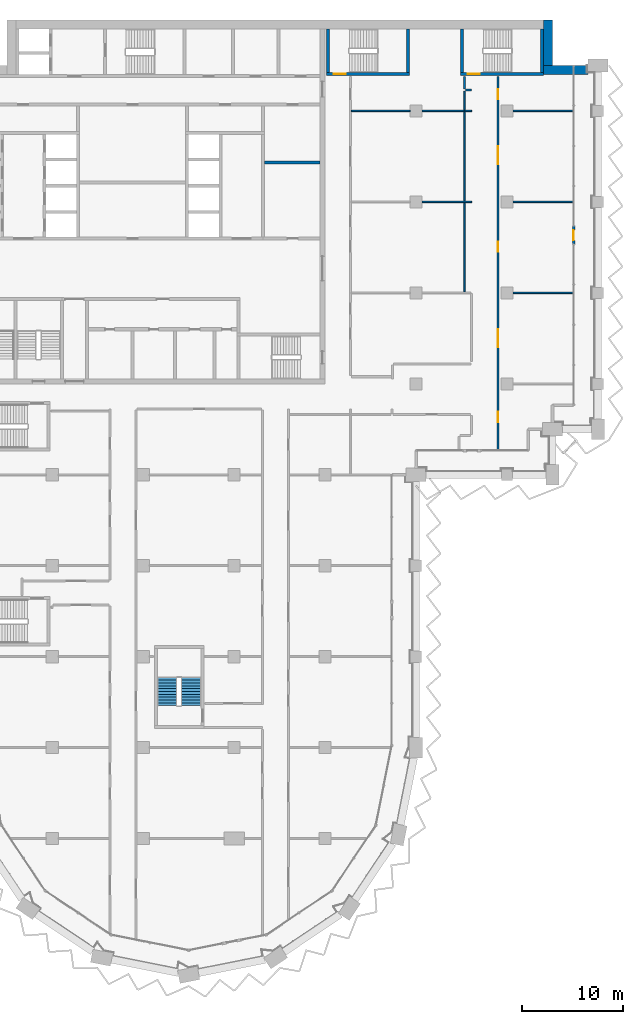
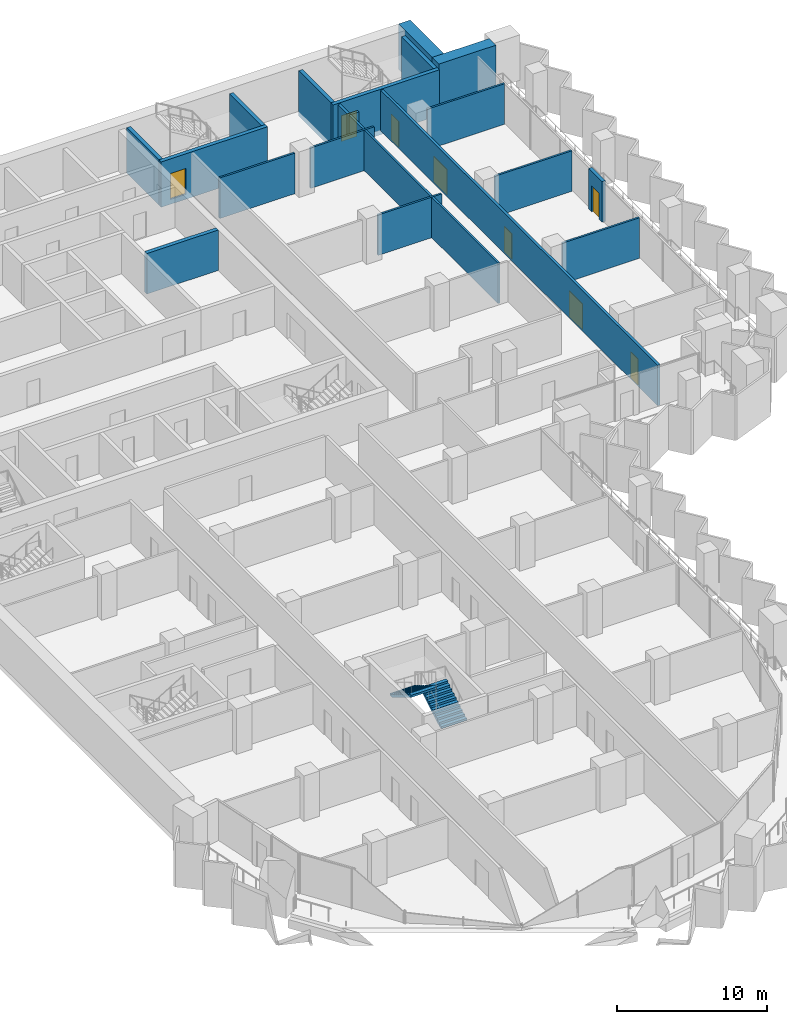
# One storey, part 14 of 22: 22 walls, 8 doors, 2 stair flights, 8 openings, 1 element without a shape of its own.
"""IFC4 building model written with IfcOpenShell, lengths in metres."""

from ifc_helpers import new_model, si_unit, direction, frame, frame_2d, origin, place, context, subcontext, project, spatial, polyline, rectangle, outline, extrude, material, layer, layer_set, type_object, element, fill, aggregate, save


model = new_model("IFC4")

# Units and contexts
model_context = context("Model", 3, precision=1e-05, world=origin(), true_north=direction((0.0, 1.0)))
body_context = subcontext(model_context, "Body", "Model", "MODEL_VIEW")
ifc_project = project(units=[si_unit("LENGTHUNIT", "METRE"), si_unit("AREAUNIT", "SQUARE_METRE"), si_unit("VOLUMEUNIT", "CUBIC_METRE"), si_unit("PLANEANGLEUNIT", "RADIAN"), si_unit("MASSUNIT", "GRAM", prefix="KILO")], contexts=[model_context])

# Site, building, storey
site_placement = place(None, origin())
site = spatial("IfcSite", under=ifc_project, at=site_placement, CompositionType="ELEMENT")
building_placement = place(site_placement, origin())
building = spatial("IfcBuilding", under=site, at=building_placement, Name="Hunhe Ridgeline Campus", CompositionType="ELEMENT")
storey_placement = place(building_placement, frame((0.0, 0.0, 159.699951171875)))
storey = spatial("IfcBuildingStorey", under=building, at=storey_placement, Name="L40", CompositionType="ELEMENT", Elevation=159.699951171875)

# Walls
ifc_material_1 = material(Name="Masonry concrete blockwork", Category="masonry")
ifc_layer_1 = layer(ifc_material_1, 0.300048828125)
ifc_layer_set_1 = layer_set([ifc_layer_1], Name="Core room partition 300 concrete block")
wall_type_1 = type_object("IfcWallType", Name="Core room partition 300 concrete block", PredefinedType="PARTITIONING", material=ifc_layer_set_1)
wall_1_placement = place(storey_placement, frame((30.0, 84.89990234375, 0.0), z_axis=(0.0, 0.0, 1.0), x_axis=(1.0, 0.0, 0.0)))
element("IfcWall", 1, at=wall_1_placement, inside=storey, type_object=wall_type_1, Name="L40 core partition 21", PredefinedType="PARTITIONING", context=body_context, shape_type="SweptSolid", body=[
    extrude(rectangle(XDim=5.5, YDim=0.300048828125, at=frame_2d((2.75, 0.0))), origin(), (0.0, 0.0, 1.0), 3.300048828125),
])
ifc_material_2 = material(Name="Gypsum board partition")
ifc_layer_2 = layer(ifc_material_2, 0.199951171875)
ifc_layer_set_2 = layer_set([ifc_layer_2], Name="Corridor partition 200 gypsum board on steel studs")
wall_type_2 = type_object("IfcWallType", Name="Corridor partition 200 gypsum board on steel studs", PredefinedType="PARTITIONING", material=ifc_layer_set_2)
wall_2_placement = place(storey_placement, frame((50.5, 92.050048828125, 0.0), z_axis=(0.0, 0.0, 1.0), x_axis=(-1.0, 0.0, 0.0)))
element("IfcWall", 2, at=wall_2_placement, inside=storey, type_object=wall_type_2, Name="F-L40-wall-054", PredefinedType="PARTITIONING", context=body_context, shape_type="SweptSolid", body=[
    extrude(rectangle(XDim=0.60009765625, YDim=0.199951171875, at=frame_2d((0.300048828125, 0.0))), origin(), (0.0, 0.0, 1.0), 3.300048828125),
])
wall_3_placement = place(storey_placement, frame((49.800048828125, 92.14990234375, 0.0), z_axis=(0.0, 0.0, 1.0), x_axis=(0.0, 1.0, 0.0)))
element("IfcWall", 3, at=wall_3_placement, inside=storey, type_object=wall_type_2, Name="F-L40-wall-071", PredefinedType="PARTITIONING", context=body_context, shape_type="SweptSolid", body=[
    extrude(rectangle(XDim=1.24609375, YDim=0.199951171875, at=frame_2d((0.623046875, 0.0))), origin(), (0.0, 0.0, 1.0), 3.300048828125),
])

# Wall, openings, doors
wall_4_placement = place(storey_placement, frame((53.10009765625, 93.39599609375, 0.0), z_axis=(0.0, 0.0, 1.0), x_axis=(0.0, -1.0, 0.0)))
wall_4 = element("IfcWall", 4, at=wall_4_placement, inside=storey, type_object=wall_type_2, Name="F-L40-wall-074", PredefinedType="PARTITIONING", context=body_context, shape_type="SweptSolid", body=[
    extrude(rectangle(XDim=36.94091796875, YDim=0.199951171875, at=frame_2d((18.470458984375, 0.0))), origin(), (0.0, 0.0, 1.0), 3.300048828125),
])
opening_1_placement = place(wall_4_placement, frame((33.174072265625, 0.0, 0.0)))
opening_1 = element("IfcOpeningElement", 5, at=opening_1_placement, cuts=wall_4, Name="Opening RD1-026", PredefinedType="OPENING", context=body_context, shape_type="SweptSolid", body=[
    extrude(rectangle(XDim=1.0, YDim=2.10009765625, at=frame_2d((0.5, 1.050048828125))), frame((0.0, 0.10009765625, 0.0), z_axis=(0.0, -1.0, 0.0), x_axis=(1.0, 0.0, 0.0)), (0.0, 0.0, 1.0), 0.199951171875),
])
opening_2_placement = place(wall_4_placement, frame((24.98388671875, 0.0, 0.0)))
opening_2 = element("IfcOpeningElement", 6, at=opening_2_placement, cuts=wall_4, Name="Opening RD2-029", PredefinedType="OPENING", context=body_context, shape_type="SweptSolid", body=[
    extrude(rectangle(XDim=1.800048828125, YDim=2.10009765625, at=frame_2d((0.89990234375, 1.050048828125))), frame((0.0, 0.10009765625, 0.0), z_axis=(0.0, -1.0, 0.0), x_axis=(1.0, 0.0, 0.0)), (0.0, 0.0, 1.0), 0.199951171875),
])
opening_3_placement = place(wall_4_placement, frame((16.337158203125, 0.0, 0.0)))
opening_3 = element("IfcOpeningElement", 7, at=opening_3_placement, cuts=wall_4, Name="Opening RD1-033", PredefinedType="OPENING", context=body_context, shape_type="SweptSolid", body=[
    extrude(rectangle(XDim=1.0, YDim=2.10009765625, at=frame_2d((0.5, 1.050048828125))), frame((0.0, 0.10009765625, 0.0), z_axis=(0.0, -1.0, 0.0), x_axis=(1.0, 0.0, 0.0)), (0.0, 0.0, 1.0), 0.199951171875),
])
opening_4_placement = place(wall_4_placement, frame((6.890380859375, 0.0, 0.0)))
opening_4 = element("IfcOpeningElement", 8, at=opening_4_placement, cuts=wall_4, Name="Opening RD2-036", PredefinedType="OPENING", context=body_context, shape_type="SweptSolid", body=[
    extrude(rectangle(XDim=1.800048828125, YDim=2.10009765625, at=frame_2d((0.89990234375, 1.050048828125))), frame((0.0, 0.10009765625, 0.0), z_axis=(0.0, -1.0, 0.0), x_axis=(1.0, 0.0, 0.0)), (0.0, 0.0, 1.0), 0.199951171875),
])
opening_5_placement = place(wall_4_placement, frame((1.259033203125, 0.0, 0.0)))
opening_5 = element("IfcOpeningElement", 9, at=opening_5_placement, cuts=wall_4, Name="Opening RD1-038", PredefinedType="OPENING", context=body_context, shape_type="SweptSolid", body=[
    extrude(rectangle(XDim=1.0, YDim=2.10009765625, at=frame_2d((0.5, 1.050048828125))), frame((0.0, 0.10009765625, 0.0), z_axis=(0.0, -1.0, 0.0), x_axis=(1.0, 0.0, 0.0)), (0.0, 0.0, 1.0), 0.199951171875),
])
ifc_material_3 = material(Name="Timber door leaf", Category="wood")
door_type_1 = type_object("IfcDoorType", Name="Double fire door 1800x2100 timber FD60", OperationType="DOUBLE_DOOR_SINGLE_SWING", PredefinedType="DOOR", material=ifc_material_3)
door_1_placement = place(opening_2_placement, origin())
door_1 = element("IfcDoor", 10, at=door_1_placement, inside=storey, type_object=door_type_1, Name="F-L40-door-029", OperationType="DOUBLE_DOOR_SINGLE_SWING", OverallHeight=2.10009765625, OverallWidth=1.800048828125, PredefinedType="DOOR", context=body_context, shape_type="SweptSolid", body=[
    extrude(rectangle(XDim=1.800048828125, YDim=2.10009765625, at=frame_2d((0.89990234375, 1.050048828125))), frame((0.0, 0.02490234375, 0.0), z_axis=(0.0, -1.0, 0.0), x_axis=(1.0, 0.0, 0.0)), (0.0, 0.0, 1.0), 0.050048828125),
])
fill(opening_2, door_1)
door_2_placement = place(opening_4_placement, origin())
door_2 = element("IfcDoor", 11, at=door_2_placement, inside=storey, type_object=door_type_1, Name="F-L40-door-036", OperationType="DOUBLE_DOOR_SINGLE_SWING", OverallHeight=2.10009765625, OverallWidth=1.800048828125, PredefinedType="DOOR", context=body_context, shape_type="SweptSolid", body=[
    extrude(rectangle(XDim=1.800048828125, YDim=2.10009765625, at=frame_2d((0.89990234375, 1.050048828125))), frame((0.0, 0.02490234375, 0.0), z_axis=(0.0, -1.0, 0.0), x_axis=(1.0, 0.0, 0.0)), (0.0, 0.0, 1.0), 0.050048828125),
])
fill(opening_4, door_2)
door_type_2 = type_object("IfcDoorType", Name="Single fire door 1000x2100 timber FD60", OperationType="NOTDEFINED", PredefinedType="DOOR", material=ifc_material_3)
door_3_placement = place(opening_1_placement, origin())
door_3 = element("IfcDoor", 12, at=door_3_placement, inside=storey, type_object=door_type_2, Name="F-L40-door-026", OperationType="SINGLE_SWING_LEFT", OverallHeight=2.10009765625, OverallWidth=1.0, PredefinedType="DOOR", context=body_context, shape_type="SweptSolid", body=[
    extrude(rectangle(XDim=1.0, YDim=2.10009765625, at=frame_2d((0.5, 1.050048828125))), frame((0.0, 0.02490234375, 0.0), z_axis=(0.0, -1.0, 0.0), x_axis=(1.0, 0.0, 0.0)), (0.0, 0.0, 1.0), 0.050048828125),
])
fill(opening_1, door_3)
door_4_placement = place(opening_3_placement, origin())
door_4 = element("IfcDoor", 13, at=door_4_placement, inside=storey, type_object=door_type_2, Name="F-L40-door-033", OperationType="SINGLE_SWING_LEFT", OverallHeight=2.10009765625, OverallWidth=1.0, PredefinedType="DOOR", context=body_context, shape_type="SweptSolid", body=[
    extrude(rectangle(XDim=1.0, YDim=2.10009765625, at=frame_2d((0.5, 1.050048828125))), frame((0.0, 0.02490234375, 0.0), z_axis=(0.0, -1.0, 0.0), x_axis=(1.0, 0.0, 0.0)), (0.0, 0.0, 1.0), 0.050048828125),
])
fill(opening_3, door_4)
door_5_placement = place(opening_5_placement, origin())
door_5 = element("IfcDoor", 14, at=door_5_placement, inside=storey, type_object=door_type_2, Name="F-L40-door-038", OperationType="SINGLE_SWING_LEFT", OverallHeight=2.10009765625, OverallWidth=1.0, PredefinedType="DOOR", context=body_context, shape_type="SweptSolid", body=[
    extrude(rectangle(XDim=1.0, YDim=2.10009765625, at=frame_2d((0.5, 1.050048828125))), frame((0.0, 0.02490234375, 0.0), z_axis=(0.0, -1.0, 0.0), x_axis=(1.0, 0.0, 0.0)), (0.0, 0.0, 1.0), 0.050048828125),
])
fill(opening_5, door_5)

# Wall, opening, door
ifc_material_4 = material(Name="Concrete C30", Category="concrete")
ifc_layer_3 = layer(ifc_material_4, 0.25)
ifc_layer_set_3 = layer_set([ifc_layer_3], Name="Loggia door pier wall 250 Concrete C30")
wall_type_3 = type_object("IfcWallType", Name="Loggia door pier wall 250 Concrete C30", PredefinedType="SOLIDWALL", material=ifc_layer_set_3)
wall_5_placement = place(storey_placement, frame((60.59912109375, 76.800537109375, 0.0), z_axis=(0.0, 0.0, 1.0), x_axis=(0.0, 1.0, 0.0)))
wall_5 = element("IfcWall", 15, at=wall_5_placement, inside=storey, type_object=wall_type_3, Name="Loggia door pier 5", PredefinedType="SOLIDWALL", context=body_context, shape_type="SweptSolid", body=[
    extrude(rectangle(XDim=1.800048828125, YDim=0.25, at=frame_2d((0.89990234375, 0.0))), origin(), (0.0, 0.0, 1.0), 3.300048828125),
])
opening_6_placement = place(wall_5_placement, frame((0.39990234375, 0.0, 0.0)))
opening_6 = element("IfcOpeningElement", 16, at=opening_6_placement, cuts=wall_5, Name="Opening BD307", PredefinedType="OPENING", context=body_context, shape_type="SweptSolid", body=[
    extrude(rectangle(XDim=1.0, YDim=2.10009765625, at=frame_2d((0.5, 1.050048828125))), frame((0.0, 0.125, 0.0), z_axis=(0.0, -1.0, 0.0), x_axis=(1.0, 0.0, 0.0)), (0.0, 0.0, 1.0), 0.25),
])
ifc_material_5 = material(Name="Aluminium 6063", Category="aluminium")
door_type_3 = type_object("IfcDoorType", Name="Loggia glazed door 1000x2100", OperationType="NOTDEFINED", PredefinedType="DOOR", material=ifc_material_5)
door_6_placement = place(opening_6_placement, frame((1.0, 0.0, 0.0), z_axis=(0.0, 0.0, 1.0), x_axis=(-1.0, 0.0, 0.0)))
door_6 = element("IfcDoor", 17, at=door_6_placement, inside=storey, type_object=door_type_3, Name="Loggia door BD307", OperationType="SINGLE_SWING_RIGHT", OverallHeight=2.10009765625, OverallWidth=1.0, PredefinedType="DOOR", context=body_context, shape_type="SweptSolid", body=[
    extrude(rectangle(XDim=1.0, YDim=2.10009765625, at=frame_2d((0.5, 1.050048828125))), frame((0.0, 0.02490234375, 0.0), z_axis=(0.0, -1.0, 0.0), x_axis=(1.0, 0.0, 0.0)), (0.0, 0.0, 1.0), 0.050048828125),
])
fill(opening_6, door_6)

# Walls
ifc_layer_4 = layer(ifc_material_2, 0.14990234375)
ifc_layer_set_4 = layer_set([ifc_layer_4], Name="Room partition 150 gypsum board on steel studs")
wall_type_4 = type_object("IfcWallType", Name="Room partition 150 gypsum board on steel studs", PredefinedType="PARTITIONING", material=ifc_layer_set_4)
wall_6_placement = place(storey_placement, frame((54.60009765625, 72.0, 0.0), z_axis=(0.0, 0.0, 1.0), x_axis=(1.0, 0.0, 0.0)))
element("IfcWall", 18, at=wall_6_placement, inside=storey, type_object=wall_type_4, Name="F-L40-wall-047", PredefinedType="PARTITIONING", context=body_context, shape_type="SweptSolid", body=[
    extrude(rectangle(XDim=5.94482421875, YDim=0.14990234375, at=frame_2d((2.972412109375, 0.0))), origin(), (0.0, 0.0, 1.0), 3.300048828125),
])
wall_7_placement = place(storey_placement, frame((45.60009765625, 81.0, 0.0), z_axis=(0.0, 0.0, 1.0), x_axis=(1.0, 0.0, 0.0)))
element("IfcWall", 19, at=wall_7_placement, inside=storey, type_object=wall_type_4, Name="F-L40-wall-049", PredefinedType="PARTITIONING", context=body_context, shape_type="SweptSolid", body=[
    extrude(rectangle(XDim=4.89990234375, YDim=0.14990234375, at=frame_2d((2.449951171875, 0.0))), origin(), (0.0, 0.0, 1.0), 3.300048828125),
])
wall_8_placement = place(storey_placement, frame((54.60009765625, 81.0, 0.0), z_axis=(0.0, 0.0, 1.0), x_axis=(1.0, 0.0, 0.0)))
element("IfcWall", 20, at=wall_8_placement, inside=storey, type_object=wall_type_4, Name="F-L40-wall-050", PredefinedType="PARTITIONING", context=body_context, shape_type="SweptSolid", body=[
    extrude(rectangle(XDim=5.94482421875, YDim=0.14990234375, at=frame_2d((2.972412109375, 0.0))), origin(), (0.0, 0.0, 1.0), 3.300048828125),
])
wall_9_placement = place(storey_placement, frame((38.60009765625, 90.0, 0.0), z_axis=(0.0, 0.0, 1.0), x_axis=(1.0, 0.0, 0.0)))
element("IfcWall", 21, at=wall_9_placement, inside=storey, type_object=wall_type_4, Name="F-L40-wall-051", PredefinedType="PARTITIONING", context=body_context, shape_type="SweptSolid", body=[
    extrude(rectangle(XDim=5.7998046875, YDim=0.14990234375, at=frame_2d((2.89990234375, 0.0))), origin(), (0.0, 0.0, 1.0), 3.300048828125),
])
wall_10_placement = place(storey_placement, frame((45.60009765625, 90.0, 0.0), z_axis=(0.0, 0.0, 1.0), x_axis=(1.0, 0.0, 0.0)))
element("IfcWall", 22, at=wall_10_placement, inside=storey, type_object=wall_type_4, Name="F-L40-wall-052", PredefinedType="PARTITIONING", context=body_context, shape_type="SweptSolid", body=[
    extrude(rectangle(XDim=4.89990234375, YDim=0.14990234375, at=frame_2d((2.449951171875, 0.0))), origin(), (0.0, 0.0, 1.0), 3.300048828125),
])
wall_11_placement = place(storey_placement, frame((54.60009765625, 90.0, 0.0), z_axis=(0.0, 0.0, 1.0), x_axis=(1.0, 0.0, 0.0)))
element("IfcWall", 23, at=wall_11_placement, inside=storey, type_object=wall_type_4, Name="F-L40-wall-053", PredefinedType="PARTITIONING", context=body_context, shape_type="SweptSolid", body=[
    extrude(rectangle(XDim=5.94482421875, YDim=0.14990234375, at=frame_2d((2.972412109375, 0.0))), origin(), (0.0, 0.0, 1.0), 3.300048828125),
])
for number, where, z_axis, x_axis, name in (
    (24, (49.800048828125, 80.925048828125, 0.0), (0.0, 0.0, 1.0), (0.0, -1.0, 0.0), "F-L40-wall-068"),
    (25, (49.800048828125, 89.925048828125, 0.0), (0.0, 0.0, 1.0), (0.0, -1.0, 0.0), "F-L40-wall-069"),
):
    element("IfcWall", number, at=place(storey_placement, frame(where, z_axis=z_axis, x_axis=x_axis)), inside=storey, type_object=wall_type_4, Name=name, PredefinedType="PARTITIONING", context=body_context, shape_type="SweptSolid", body=[
        extrude(rectangle(XDim=8.85009765625, YDim=0.14990234375, at=frame_2d((4.425048828125, 0.0))), origin(), (0.0, 0.0, 1.0), 3.300048828125),
    ])
wall_12_placement = place(storey_placement, frame((49.800048828125, 91.949951171875, 0.0), z_axis=(0.0, 0.0, 1.0), x_axis=(0.0, -1.0, 0.0)))
element("IfcWall", 26, at=wall_12_placement, inside=storey, type_object=wall_type_4, Name="F-L40-wall-070", PredefinedType="PARTITIONING", context=body_context, shape_type="SweptSolid", body=[
    extrude(rectangle(XDim=1.875, YDim=0.14990234375, at=frame_2d((0.9375, 0.0))), origin(), (0.0, 0.0, 1.0), 3.300048828125),
])
ifc_material_6 = material(Name="Concrete C70", Category="concrete")
ifc_layer_5 = layer(ifc_material_6, 0.89990234375)
ifc_layer_set_5 = layer_set([ifc_layer_5], Name="Spine wall 900 Concrete C70")
wall_type_5 = type_object("IfcWallType", Name="Spine wall 900 Concrete C70", PredefinedType="SHEAR", material=ifc_layer_set_5)
wall_13_placement = place(storey_placement, frame((62.0, 94.050048828125, 0.0), z_axis=(0.0, 0.0, 1.0), x_axis=(-1.0, 0.0, 0.0)))
element("IfcWall", 27, at=wall_13_placement, inside=storey, type_object=wall_type_5, Name="Spine wall SW2-2 L40", PredefinedType="SHEAR", context=body_context, shape_type="SweptSolid", body=[
    extrude(rectangle(XDim=4.400390625, YDim=0.89990234375, at=frame_2d((2.2001953125, 0.0))), origin(), (0.0, 0.0, 1.0), 3.699951171875),
])
wall_14_placement = place(storey_placement, frame((58.050048828125, 93.60009765625, 0.0), z_axis=(0.0, 0.0, 1.0), x_axis=(0.0, 1.0, 0.0)))
element("IfcWall", 28, at=wall_14_placement, inside=storey, type_object=wall_type_5, Name="Spine wall SW2-3 L40", PredefinedType="SHEAR", context=body_context, shape_type="SweptSolid", body=[
    extrude(rectangle(XDim=5.39990234375, YDim=0.89990234375, at=frame_2d((2.699951171875, 0.0))), origin(), (0.0, 0.0, 1.0), 3.699951171875),
])

# Wall, opening, door
ifc_layer_6 = layer(ifc_material_6, 0.300048828125)
ifc_layer_set_6 = layer_set([ifc_layer_6], Name="Stair wall 300 reinforced concrete C70")
wall_type_6 = type_object("IfcWallType", Name="Stair wall 300 reinforced concrete C70", PredefinedType="SOLIDWALL", material=ifc_layer_set_6)
wall_15_placement = place(storey_placement, frame((36.14990234375, 93.64990234375, -0.39990234375), z_axis=(0.0, 0.0, 1.0), x_axis=(1.0, 0.0, 0.0)))
wall_15 = element("IfcWall", 29, at=wall_15_placement, inside=storey, type_object=wall_type_6, Name="L40 core wall 29", PredefinedType="SOLIDWALL", context=body_context, shape_type="SweptSolid", body=[
    extrude(rectangle(XDim=8.2001953125, YDim=0.300048828125, at=frame_2d((4.10009765625, 0.0))), origin(), (0.0, 0.0, 1.0), 3.699951171875),
])
opening_7_placement = place(wall_15_placement, frame((0.699951171875, 0.0, 0.39990234375)))
opening_7 = element("IfcOpeningElement", 30, at=opening_7_placement, cuts=wall_15, Name="Opening CD17", PredefinedType="OPENING", context=body_context, shape_type="SweptSolid", body=[
    extrude(rectangle(XDim=1.199951171875, YDim=2.10009765625, at=frame_2d((0.60009765625, 1.050048828125))), frame((0.0, 0.14990234375, 0.0), z_axis=(0.0, -1.0, 0.0), x_axis=(1.0, 0.0, 0.0)), (0.0, 0.0, 1.0), 0.300048828125),
])
ifc_material_7 = material(Name="Hollow metal fire door leaf")
door_type_4 = type_object("IfcDoorType", Name="Stair door 1200x2100 FD60", OperationType="SINGLE_SWING_LEFT", PredefinedType="DOOR", material=ifc_material_7)
door_7_placement = place(opening_7_placement, frame((1.199951171875, 0.0, 0.0), z_axis=(0.0, 0.0, 1.0), x_axis=(-1.0, 0.0, 0.0)))
door_7 = element("IfcDoor", 31, at=door_7_placement, inside=storey, type_object=door_type_4, Name="L40 door E1", OperationType="SINGLE_SWING_RIGHT", OverallHeight=2.10009765625, OverallWidth=1.199951171875, PredefinedType="DOOR", context=body_context, shape_type="SweptSolid", body=[
    extrude(rectangle(XDim=1.199951171875, YDim=2.10009765625, at=frame_2d((0.60009765625, 1.050048828125))), frame((0.0, 0.02490234375, 0.0), z_axis=(0.0, -1.0, 0.0), x_axis=(1.0, 0.0, 0.0)), (0.0, 0.0, 1.0), 0.050048828125),
])
fill(opening_7, door_7)

wall_16_placement = place(storey_placement, frame((49.39990234375, 93.64990234375, -0.39990234375), z_axis=(0.0, 0.0, 1.0), x_axis=(1.0, 0.0, 0.0)))
wall_16 = element("IfcWall", 32, at=wall_16_placement, inside=storey, type_object=wall_type_6, Name="L40 core wall 30", PredefinedType="SOLIDWALL", context=body_context, shape_type="SweptSolid", body=[
    extrude(rectangle(XDim=8.2001953125, YDim=0.300048828125, at=frame_2d((4.10009765625, 0.0))), origin(), (0.0, 0.0, 1.0), 3.699951171875),
])
opening_8_placement = place(wall_16_placement, frame((0.699951171875, 0.0, 0.39990234375)))
opening_8 = element("IfcOpeningElement", 33, at=opening_8_placement, cuts=wall_16, Name="Opening CD18", PredefinedType="OPENING", context=body_context, shape_type="SweptSolid", body=[
    extrude(rectangle(XDim=1.199951171875, YDim=2.10009765625, at=frame_2d((0.60009765625, 1.050048828125))), frame((0.0, 0.14990234375, 0.0), z_axis=(0.0, -1.0, 0.0), x_axis=(1.0, 0.0, 0.0)), (0.0, 0.0, 1.0), 0.300048828125),
])
door_8_placement = place(opening_8_placement, frame((1.199951171875, 0.0, 0.0), z_axis=(0.0, 0.0, 1.0), x_axis=(-1.0, 0.0, 0.0)))
door_8 = element("IfcDoor", 34, at=door_8_placement, inside=storey, type_object=door_type_4, Name="L40 door E2", OperationType="SINGLE_SWING_LEFT", OverallHeight=2.10009765625, OverallWidth=1.199951171875, PredefinedType="DOOR", context=body_context, shape_type="SweptSolid", body=[
    extrude(rectangle(XDim=1.199951171875, YDim=2.10009765625, at=frame_2d((0.60009765625, 1.050048828125))), frame((0.0, 0.02490234375, 0.0), z_axis=(0.0, -1.0, 0.0), x_axis=(1.0, 0.0, 0.0)), (0.0, 0.0, 1.0), 0.050048828125),
])
fill(opening_8, door_8)

# Walls
for number, where, z_axis, x_axis, name in (
    (35, (36.300048828125, 93.800048828125, -0.39990234375), (0.0, 0.0, 1.0), (0.0, 1.0, 0.0), "L40 core wall 60"),
    (36, (44.199951171875, 93.800048828125, -0.39990234375), (0.0, 0.0, 1.0), (0.0, 1.0, 0.0), "L40 core wall 61"),
    (37, (49.550048828125, 93.800048828125, -0.39990234375), (0.0, 0.0, 1.0), (0.0, 1.0, 0.0), "L40 core wall 62"),
    (38, (57.449951171875, 93.800048828125, -0.39990234375), (0.0, 0.0, 1.0), (0.0, 1.0, 0.0), "L40 core wall 63"),
):
    element("IfcWall", number, at=place(storey_placement, frame(where, z_axis=z_axis, x_axis=x_axis)), inside=storey, type_object=wall_type_6, Name=name, PredefinedType="SOLIDWALL", context=body_context, shape_type="SweptSolid", body=[
        extrude(rectangle(XDim=4.300048828125, YDim=0.300048828125, at=frame_2d((2.14990234375, 0.0))), origin(), (0.0, 0.0, 1.0), 3.699951171875),
    ])

# Stair, stair flights
ifc_material_8 = material(Name="Concrete C40", Category="concrete")
stair_type = type_object("IfcStairType", Name="Reinforced concrete dog-leg stair 1950 Concrete C40", PredefinedType="HALF_TURN_STAIR", material=ifc_material_8)
stair_placement = place(storey_placement, origin())
stair = element("IfcStair", 39, at=stair_placement, inside=storey, type_object=stair_type, Name="L40 W3", PredefinedType="HALF_TURN_STAIR")
stair_flight_type = type_object("IfcStairFlightType", Name="Reinforced concrete stair flight 1950 Concrete C40", PredefinedType="STRAIGHT", material=ifc_material_8)
stair_flight_1_placement = place(storey_placement, frame((22.72509765625, 31.14990234375, 0.0), z_axis=(0.0, 0.0, 1.0), x_axis=(0.0, 1.0, 0.0)))
stair_flight_1 = element("IfcStairFlight", 40, at=stair_flight_1_placement, type_object=stair_flight_type, Name="ST9 flight 1", NumberOfRisers=11, NumberOfTreads=10, PredefinedType="STRAIGHT", RiserHeight=0.168181818, TreadLength=0.28, context=body_context, shape_type="SweptSolid", body=[
    extrude(outline(polyline([(0.0, 0.0), (0.0, 0.168212890625), (0.280029296875, 0.168212890625), (0.280029296875, 0.33642578125), (0.56005859375, 0.33642578125), (0.56005859375, 0.504638671875), (0.840087890625, 0.504638671875), (0.840087890625, 0.672607421875), (1.1201171875, 0.672607421875), (1.1201171875, 0.8408203125), (1.39990234375, 0.8408203125), (1.39990234375, 1.009033203125), (1.679931640625, 1.009033203125), (1.679931640625, 1.17724609375), (1.9599609375, 1.17724609375), (1.9599609375, 1.345458984375), (2.239990234375, 1.345458984375), (2.239990234375, 1.513671875), (2.52001953125, 1.513671875), (2.52001953125, 1.681884765625), (2.800048828125, 1.681884765625), (2.800048828125, 1.85009765625), (2.800048828125, 1.5068359375), (0.291015625, 0.0), (0.0, 0.0)])), frame((0.0, 0.97509765625, 0.0), z_axis=(0.0, -1.0, 0.0), x_axis=(1.0, 0.0, 0.0)), (0.0, 0.0, 1.0), 1.949951171875),
    extrude(outline(polyline([(0.030029296875, 0.030029296875), (0.030029296875, 0.13818359375), (0.31005859375, 0.13818359375), (0.31005859375, 0.306396484375), (0.590087890625, 0.306396484375), (0.590087890625, 0.474609375), (0.8701171875, 0.474609375), (0.8701171875, 0.642578125), (1.14990234375, 0.642578125), (1.14990234375, 0.810791015625), (1.429931640625, 0.810791015625), (1.429931640625, 0.97900390625), (1.7099609375, 0.97900390625), (1.7099609375, 1.147216796875), (1.989990234375, 1.147216796875), (1.989990234375, 1.3154296875), (2.27001953125, 1.3154296875), (2.27001953125, 1.483642578125), (2.550048828125, 1.483642578125), (2.550048828125, 1.65185546875), (2.77001953125, 1.65185546875), (2.77001953125, 1.52392578125), (0.28271484375, 0.030029296875), (0.030029296875, 0.030029296875)])), frame((0.0, -0.070068359375, 0.0), z_axis=(0.0, -1.0, 0.0), x_axis=(1.0, 0.0, 0.0)), (0.0, 0.0, 1.0), 0.019775390625),
    extrude(outline(polyline([(0.030029296875, 0.030029296875), (0.030029296875, 0.13818359375), (0.31005859375, 0.13818359375), (0.31005859375, 0.306396484375), (0.590087890625, 0.306396484375), (0.590087890625, 0.474609375), (0.8701171875, 0.474609375), (0.8701171875, 0.642578125), (1.14990234375, 0.642578125), (1.14990234375, 0.810791015625), (1.429931640625, 0.810791015625), (1.429931640625, 0.97900390625), (1.7099609375, 0.97900390625), (1.7099609375, 1.147216796875), (1.989990234375, 1.147216796875), (1.989990234375, 1.3154296875), (2.27001953125, 1.3154296875), (2.27001953125, 1.483642578125), (2.550048828125, 1.483642578125), (2.550048828125, 1.65185546875), (2.77001953125, 1.65185546875), (2.77001953125, 1.52392578125), (0.28271484375, 0.030029296875), (0.030029296875, 0.030029296875)])), frame((0.0, 0.010009765625, 0.0), z_axis=(0.0, -1.0, 0.0), x_axis=(1.0, 0.0, 0.0)), (0.0, 0.0, 1.0), 0.019775390625),
    extrude(outline(polyline([(0.030029296875, 0.030029296875), (0.030029296875, 0.13818359375), (0.31005859375, 0.13818359375), (0.31005859375, 0.306396484375), (0.590087890625, 0.306396484375), (0.590087890625, 0.474609375), (0.8701171875, 0.474609375), (0.8701171875, 0.642578125), (1.14990234375, 0.642578125), (1.14990234375, 0.810791015625), (1.429931640625, 0.810791015625), (1.429931640625, 0.97900390625), (1.7099609375, 0.97900390625), (1.7099609375, 1.147216796875), (1.989990234375, 1.147216796875), (1.989990234375, 1.3154296875), (2.27001953125, 1.3154296875), (2.27001953125, 1.483642578125), (2.550048828125, 1.483642578125), (2.550048828125, 1.65185546875), (2.77001953125, 1.65185546875), (2.77001953125, 1.52392578125), (0.28271484375, 0.030029296875), (0.030029296875, 0.030029296875)])), frame((0.0, 0.090087890625, 0.0), z_axis=(0.0, -1.0, 0.0), x_axis=(1.0, 0.0, 0.0)), (0.0, 0.0, 1.0), 0.019775390625),
])
stair_flight_2_placement = place(storey_placement, frame((20.375, 33.949951171875, 1.85009765625), z_axis=(0.0, 0.0, 1.0), x_axis=(0.0, -1.0, 0.0)))
stair_flight_2 = element("IfcStairFlight", 41, at=stair_flight_2_placement, type_object=stair_flight_type, Name="ST9 flight 2", NumberOfRisers=11, NumberOfTreads=10, PredefinedType="STRAIGHT", RiserHeight=0.168181818, TreadLength=0.28, context=body_context, shape_type="SweptSolid", body=[
    extrude(outline(polyline([(0.0, 0.0), (0.0, 0.168212890625), (0.280029296875, 0.168212890625), (0.280029296875, 0.33642578125), (0.56005859375, 0.33642578125), (0.56005859375, 0.504638671875), (0.840087890625, 0.504638671875), (0.840087890625, 0.672607421875), (1.1201171875, 0.672607421875), (1.1201171875, 0.8408203125), (1.39990234375, 0.8408203125), (1.39990234375, 1.009033203125), (1.679931640625, 1.009033203125), (1.679931640625, 1.17724609375), (1.9599609375, 1.17724609375), (1.9599609375, 1.345458984375), (2.239990234375, 1.345458984375), (2.239990234375, 1.513671875), (2.52001953125, 1.513671875), (2.52001953125, 1.681884765625), (2.800048828125, 1.681884765625), (2.800048828125, 1.85009765625), (2.800048828125, 1.5068359375), (0.291015625, 0.0), (0.0, 0.0)])), frame((0.0, 0.97509765625, 0.0), z_axis=(0.0, -1.0, 0.0), x_axis=(1.0, 0.0, 0.0)), (0.0, 0.0, 1.0), 1.949951171875),
    extrude(outline(polyline([(0.030029296875, 0.030029296875), (0.030029296875, 0.13818359375), (0.31005859375, 0.13818359375), (0.31005859375, 0.306396484375), (0.590087890625, 0.306396484375), (0.590087890625, 0.474609375), (0.8701171875, 0.474609375), (0.8701171875, 0.642578125), (1.14990234375, 0.642578125), (1.14990234375, 0.810791015625), (1.429931640625, 0.810791015625), (1.429931640625, 0.97900390625), (1.7099609375, 0.97900390625), (1.7099609375, 1.147216796875), (1.989990234375, 1.147216796875), (1.989990234375, 1.3154296875), (2.27001953125, 1.3154296875), (2.27001953125, 1.483642578125), (2.550048828125, 1.483642578125), (2.550048828125, 1.65185546875), (2.77001953125, 1.65185546875), (2.77001953125, 1.52392578125), (0.28271484375, 0.030029296875), (0.030029296875, 0.030029296875)])), frame((0.0, -0.070068359375, 0.0), z_axis=(0.0, -1.0, 0.0), x_axis=(1.0, 0.0, 0.0)), (0.0, 0.0, 1.0), 0.019775390625),
    extrude(outline(polyline([(0.030029296875, 0.030029296875), (0.030029296875, 0.13818359375), (0.31005859375, 0.13818359375), (0.31005859375, 0.306396484375), (0.590087890625, 0.306396484375), (0.590087890625, 0.474609375), (0.8701171875, 0.474609375), (0.8701171875, 0.642578125), (1.14990234375, 0.642578125), (1.14990234375, 0.810791015625), (1.429931640625, 0.810791015625), (1.429931640625, 0.97900390625), (1.7099609375, 0.97900390625), (1.7099609375, 1.147216796875), (1.989990234375, 1.147216796875), (1.989990234375, 1.3154296875), (2.27001953125, 1.3154296875), (2.27001953125, 1.483642578125), (2.550048828125, 1.483642578125), (2.550048828125, 1.65185546875), (2.77001953125, 1.65185546875), (2.77001953125, 1.52392578125), (0.28271484375, 0.030029296875), (0.030029296875, 0.030029296875)])), frame((0.0, 0.010009765625, 0.0), z_axis=(0.0, -1.0, 0.0), x_axis=(1.0, 0.0, 0.0)), (0.0, 0.0, 1.0), 0.019775390625),
    extrude(outline(polyline([(0.030029296875, 0.030029296875), (0.030029296875, 0.13818359375), (0.31005859375, 0.13818359375), (0.31005859375, 0.306396484375), (0.590087890625, 0.306396484375), (0.590087890625, 0.474609375), (0.8701171875, 0.474609375), (0.8701171875, 0.642578125), (1.14990234375, 0.642578125), (1.14990234375, 0.810791015625), (1.429931640625, 0.810791015625), (1.429931640625, 0.97900390625), (1.7099609375, 0.97900390625), (1.7099609375, 1.147216796875), (1.989990234375, 1.147216796875), (1.989990234375, 1.3154296875), (2.27001953125, 1.3154296875), (2.27001953125, 1.483642578125), (2.550048828125, 1.483642578125), (2.550048828125, 1.65185546875), (2.77001953125, 1.65185546875), (2.77001953125, 1.52392578125), (0.28271484375, 0.030029296875), (0.030029296875, 0.030029296875)])), frame((0.0, 0.090087890625, 0.0), z_axis=(0.0, -1.0, 0.0), x_axis=(1.0, 0.0, 0.0)), (0.0, 0.0, 1.0), 0.019775390625),
])
aggregate(stair, [stair_flight_1, stair_flight_2])

save(model, "model.ifc")
